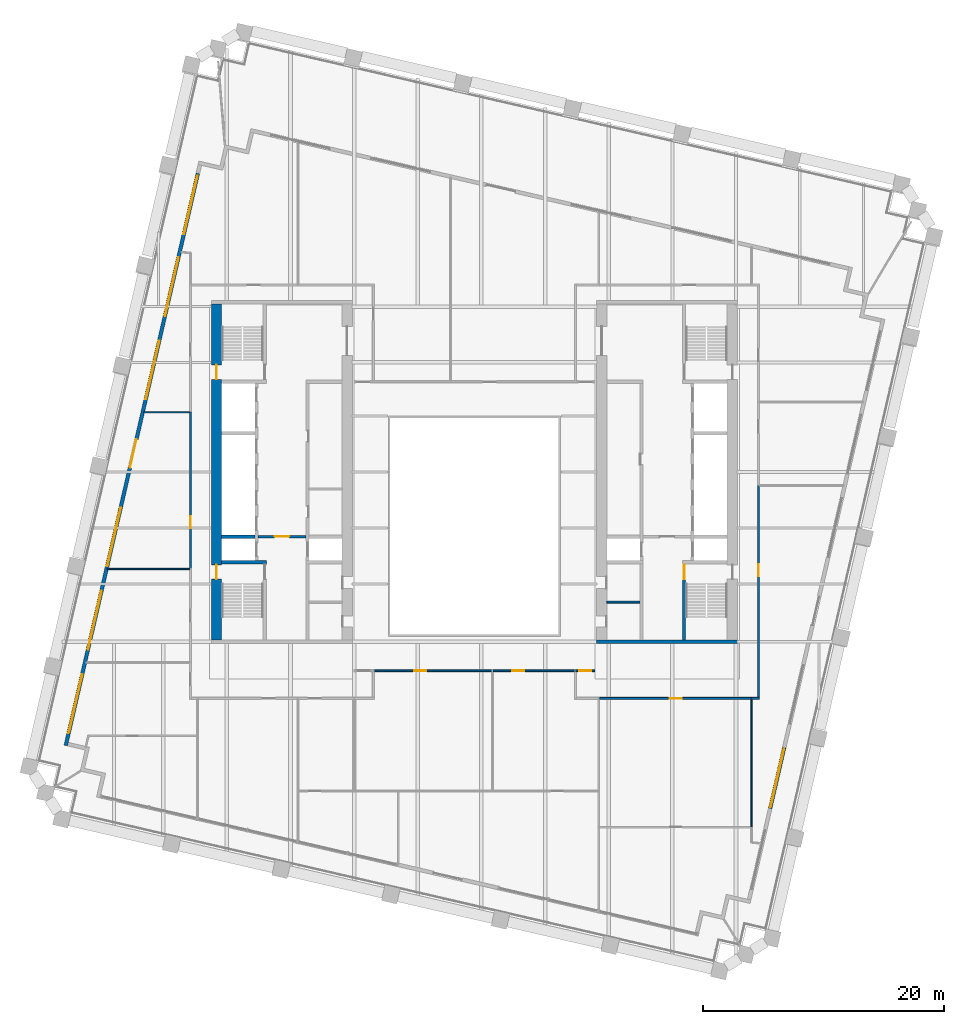
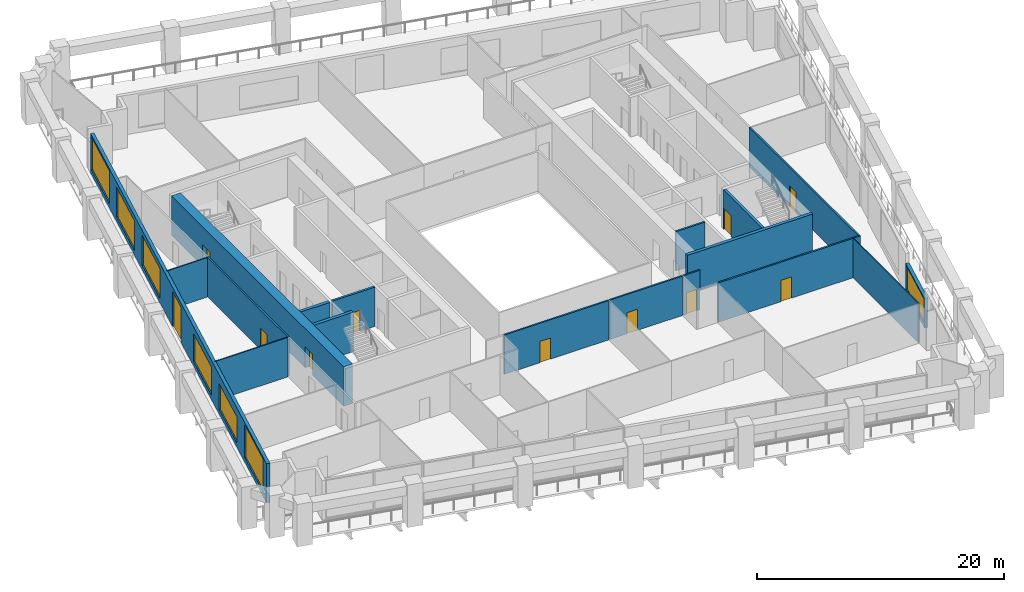
# One storey, part 7 of 12: 19 walls, 11 doors, 7 windows, 18 openings.
"""IFC4 building model written with IfcOpenShell, lengths in metres."""

from ifc_helpers import new_model, si_unit, direction, frame, frame_2d, origin, place, context, subcontext, project, spatial, rectangle, extrude, material, layer, layer_set, type_object, element, fill, save


model = new_model("IFC4")

# Units and contexts
model_context = context("Model", 3, precision=1e-05, world=origin(), true_north=direction((0.0, 1.0)))
body_context = subcontext(model_context, "Body", "Model", "MODEL_VIEW")
ifc_project = project(units=[si_unit("LENGTHUNIT", "METRE"), si_unit("AREAUNIT", "SQUARE_METRE"), si_unit("VOLUMEUNIT", "CUBIC_METRE"), si_unit("PLANEANGLEUNIT", "RADIAN"), si_unit("MASSUNIT", "GRAM", prefix="KILO")], contexts=[model_context])

# Site, building, storey
site_placement = place(None, origin())
site = spatial("IfcSite", under=ifc_project, at=site_placement, CompositionType="ELEMENT")
building_placement = place(site_placement, origin())
building = spatial("IfcBuilding", under=site, at=building_placement, Name="Ogive Exchange Tower", CompositionType="ELEMENT")
storey_placement = place(building_placement, frame((0.0, 0.0, 156.0)))
storey = spatial("IfcBuildingStorey", under=building, at=storey_placement, Name="L34", CompositionType="ELEMENT", Elevation=156.0)

# Wall
ifc_material_1 = material(Name="Gypsum board partition")
ifc_layer_1 = layer(ifc_material_1, 0.14990234375)
ifc_layer_set_1 = layer_set([ifc_layer_1], Name="Core room partition 150 gypsum")
wall_type_1 = type_object("IfcWallType", Name="Core room partition 150 gypsum", PredefinedType="PARTITIONING", material=ifc_layer_set_1)
wall_1_placement = place(storey_placement, frame((11.0, 0.699951171875, 0.0), z_axis=(0.0, 0.0, 1.0), x_axis=(1.0, 0.0, 0.0)))
element("IfcWall", 1, at=wall_1_placement, inside=storey, type_object=wall_type_1, Name="E south room partition", PredefinedType="PARTITIONING", context=body_context, shape_type="SweptSolid", body=[
    extrude(rectangle(XDim=2.75, YDim=0.14990234375, at=frame_2d((1.375, 0.0))), origin(), (0.0, 0.0, 1.0), 3.89990234375),
])

# Wall, opening, door
ifc_material_2 = material(Name="Fire partition EI 60 150")
ifc_layer_2 = layer(ifc_material_2, 0.14990234375)
ifc_layer_set_2 = layer_set([ifc_layer_2], Name="Fire partition EI 60 150")
wall_type_2 = type_object("IfcWallType", Name="Fire partition EI 60 150", PredefinedType="PARTITIONING", material=ifc_layer_set_2)
wall_2_placement = place(storey_placement, frame((-23.60009765625, 3.449951171875, 0.0), z_axis=(0.0, 0.0, 1.0), x_axis=(0.0, 1.0, 0.0)))
wall_2 = element("IfcWall", 2, at=wall_2_placement, inside=storey, type_object=wall_type_2, Name="L34-PWL-007", PredefinedType="PARTITIONING", context=body_context, shape_type="SweptSolid", body=[
    extrude(rectangle(XDim=13.080078125, YDim=0.14990234375, at=frame_2d((6.5400390625, 0.0))), origin(), (0.0, 0.0, 1.0), 3.89990234375),
])
opening_1_placement = place(wall_2_placement, frame((3.3798828125, 0.0, 0.0)))
opening_1 = element("IfcOpeningElement", 3, at=opening_1_placement, cuts=wall_2, Name="Opening L34-I17", PredefinedType="OPENING", context=body_context, shape_type="SweptSolid", body=[
    extrude(rectangle(XDim=1.0, YDim=2.10009765625, at=frame_2d((0.5, 1.050048828125))), frame((0.0, 0.0849609375, 0.0), z_axis=(0.0, -1.0, 0.0), x_axis=(1.0, 0.0, 0.0)), (0.0, 0.0, 1.0), 0.169921875),
])
ifc_material_3 = material(Name="Fire door FD 30S 1000 x 2100")
door_type_1 = type_object("IfcDoorType", Name="Fire door FD 30S 1000 x 2100", OperationType="NOTDEFINED", PredefinedType="DOOR", material=ifc_material_3)
door_1_placement = place(opening_1_placement, origin())
door_1 = element("IfcDoor", 4, at=door_1_placement, inside=storey, type_object=door_type_1, Name="L34-IDR-017", ObjectType="DT3", OperationType="SINGLE_SWING_RIGHT", OverallHeight=2.10009765625, OverallWidth=1.0, PredefinedType="DOOR", context=body_context, shape_type="SweptSolid", body=[
    extrude(rectangle(XDim=1.0, YDim=2.10009765625, at=frame_2d((0.5, 1.050048828125))), frame((0.0, 0.02490234375, 0.0), z_axis=(0.0, -1.0, 0.0), x_axis=(1.0, 0.0, 0.0)), (0.0, 0.0, 1.0), 0.050048828125),
])
fill(opening_1, door_1)

wall_3_placement = place(storey_placement, frame((1.449951171875, -5.0, 0.0), z_axis=(0.0, 0.0, 1.0), x_axis=(-1.0, 0.0, 0.0)))
wall_3 = element("IfcWall", 5, at=wall_3_placement, inside=storey, type_object=wall_type_2, Name="L34-PWL-035", PredefinedType="PARTITIONING", context=body_context, shape_type="SweptSolid", body=[
    extrude(rectangle(XDim=9.77490234375, YDim=0.14990234375, at=frame_2d((4.887451171875, 0.0))), origin(), (0.0, 0.0, 1.0), 3.89990234375),
])
opening_2_placement = place(wall_3_placement, frame((5.449951171875, 0.0, 0.0)))
opening_2 = element("IfcOpeningElement", 6, at=opening_2_placement, cuts=wall_3, Name="Opening L34-I10", PredefinedType="OPENING", context=body_context, shape_type="SweptSolid", body=[
    extrude(rectangle(XDim=1.0, YDim=2.10009765625, at=frame_2d((0.5, 1.050048828125))), frame((0.0, 0.0849609375, 0.0), z_axis=(0.0, -1.0, 0.0), x_axis=(1.0, 0.0, 0.0)), (0.0, 0.0, 1.0), 0.169921875),
])
door_2_placement = place(opening_2_placement, origin())
door_2 = element("IfcDoor", 7, at=door_2_placement, inside=storey, type_object=door_type_1, Name="L34-IDR-010", ObjectType="DT3", OperationType="SINGLE_SWING_LEFT", OverallHeight=2.10009765625, OverallWidth=1.0, PredefinedType="DOOR", context=body_context, shape_type="SweptSolid", body=[
    extrude(rectangle(XDim=1.0, YDim=2.10009765625, at=frame_2d((0.5, 1.050048828125))), frame((0.0, 0.02490234375, 0.0), z_axis=(0.0, -1.0, 0.0), x_axis=(1.0, 0.0, 0.0)), (0.0, 0.0, 1.0), 0.050048828125),
])
fill(opening_2, door_2)

wall_4_placement = place(storey_placement, frame((8.324951171875, -5.0, 0.0), z_axis=(0.0, 0.0, 1.0), x_axis=(-1.0, 0.0, 0.0)))
wall_4 = element("IfcWall", 8, at=wall_4_placement, inside=storey, type_object=wall_type_2, Name="L34-PWL-037", PredefinedType="PARTITIONING", context=body_context, shape_type="SweptSolid", body=[
    extrude(rectangle(XDim=6.77490234375, YDim=0.14990234375, at=frame_2d((3.387451171875, 0.0))), origin(), (0.0, 0.0, 1.0), 3.89990234375),
])
opening_3_placement = place(wall_4_placement, frame((4.175048828125, 0.0, 0.0)))
opening_3 = element("IfcOpeningElement", 9, at=opening_3_placement, cuts=wall_4, Name="Opening L34-I09", PredefinedType="OPENING", context=body_context, shape_type="SweptSolid", body=[
    extrude(rectangle(XDim=1.0, YDim=2.10009765625, at=frame_2d((0.5, 1.050048828125))), frame((0.0, 0.0849609375, 0.0), z_axis=(0.0, -1.0, 0.0), x_axis=(1.0, 0.0, 0.0)), (0.0, 0.0, 1.0), 0.169921875),
])
door_3_placement = place(opening_3_placement, origin())
door_3 = element("IfcDoor", 10, at=door_3_placement, inside=storey, type_object=door_type_1, Name="L34-IDR-009", ObjectType="DT3", OperationType="SINGLE_SWING_LEFT", OverallHeight=2.10009765625, OverallWidth=1.0, PredefinedType="DOOR", context=body_context, shape_type="SweptSolid", body=[
    extrude(rectangle(XDim=1.0, YDim=2.10009765625, at=frame_2d((0.5, 1.050048828125))), frame((0.0, 0.02490234375, 0.0), z_axis=(0.0, -1.0, 0.0), x_axis=(1.0, 0.0, 0.0)), (0.0, 0.0, 1.0), 0.050048828125),
])
fill(opening_3, door_3)

wall_5_placement = place(storey_placement, frame((23.06005859375, -7.300048828125, 0.0), z_axis=(0.0, 0.0, 1.0), x_axis=(-1.0, 0.0, 0.0)))
wall_5 = element("IfcWall", 11, at=wall_5_placement, inside=storey, type_object=wall_type_2, Name="L34-PWL-049", PredefinedType="PARTITIONING", context=body_context, shape_type="SweptSolid", body=[
    extrude(rectangle(XDim=12.68994140625, YDim=0.14990234375, at=frame_2d((6.344970703125, 0.0))), origin(), (0.0, 0.0, 1.0), 3.89990234375),
])
opening_4_placement = place(wall_5_placement, frame((5.840087890625, 0.0, 0.0)))
opening_4 = element("IfcOpeningElement", 12, at=opening_4_placement, cuts=wall_5, Name="Opening L34-I02", PredefinedType="OPENING", context=body_context, shape_type="SweptSolid", body=[
    extrude(rectangle(XDim=1.0, YDim=2.10009765625, at=frame_2d((0.5, 1.050048828125))), frame((0.0, 0.0849609375, 0.0), z_axis=(0.0, -1.0, 0.0), x_axis=(1.0, 0.0, 0.0)), (0.0, 0.0, 1.0), 0.169921875),
])
door_4_placement = place(opening_4_placement, origin())
door_4 = element("IfcDoor", 13, at=door_4_placement, inside=storey, type_object=door_type_1, Name="L34-IDR-002", ObjectType="DT3", OperationType="SINGLE_SWING_LEFT", OverallHeight=2.10009765625, OverallWidth=1.0, PredefinedType="DOOR", context=body_context, shape_type="SweptSolid", body=[
    extrude(rectangle(XDim=1.0, YDim=2.10009765625, at=frame_2d((0.5, 1.050048828125))), frame((0.0, 0.02490234375, 0.0), z_axis=(0.0, -1.0, 0.0), x_axis=(1.0, 0.0, 0.0)), (0.0, 0.0, 1.0), 0.050048828125),
])
fill(opening_4, door_4)

# Wall
wall_6_placement = place(storey_placement, frame((23.675048828125, -7.300048828125, 0.0), z_axis=(0.0, 0.0, 1.0), x_axis=(-1.0, 0.0, 0.0)))
element("IfcWall", 14, at=wall_6_placement, inside=storey, type_object=wall_type_2, Name="L34-PWL-053", PredefinedType="PARTITIONING", context=body_context, shape_type="SweptSolid", body=[
    extrude(rectangle(XDim=0.6650390625, YDim=0.14990234375, at=frame_2d((0.33251953125, 0.0))), origin(), (0.0, 0.0, 1.0), 3.89990234375),
])

# Wall, opening, door
wall_7_placement = place(storey_placement, frame((23.60009765625, 10.43994140625, 0.0), z_axis=(0.0, 0.0, 1.0), x_axis=(0.0, -1.0, 0.0)))
wall_7 = element("IfcWall", 15, at=wall_7_placement, inside=storey, type_object=wall_type_2, Name="L34-PWL-054", PredefinedType="PARTITIONING", context=body_context, shape_type="SweptSolid", body=[
    extrude(rectangle(XDim=17.6650390625, YDim=0.14990234375, at=frame_2d((8.83251953125, 0.0))), origin(), (0.0, 0.0, 1.0), 3.89990234375),
])
opening_5_placement = place(wall_7_placement, frame((6.590087890625, 0.0, 0.0)))
opening_5 = element("IfcOpeningElement", 16, at=opening_5_placement, cuts=wall_7, Name="Opening L34-I04", PredefinedType="OPENING", context=body_context, shape_type="SweptSolid", body=[
    extrude(rectangle(XDim=1.0, YDim=2.10009765625, at=frame_2d((0.5, 1.050048828125))), frame((0.0, 0.0849609375, 0.0), z_axis=(0.0, -1.0, 0.0), x_axis=(1.0, 0.0, 0.0)), (0.0, 0.0, 1.0), 0.169921875),
])
door_5_placement = place(opening_5_placement, origin())
door_5 = element("IfcDoor", 17, at=door_5_placement, inside=storey, type_object=door_type_1, Name="L34-IDR-004", ObjectType="DT3", OperationType="SINGLE_SWING_RIGHT", OverallHeight=2.10009765625, OverallWidth=1.0, PredefinedType="DOOR", context=body_context, shape_type="SweptSolid", body=[
    extrude(rectangle(XDim=1.0, YDim=2.10009765625, at=frame_2d((0.5, 1.050048828125))), frame((0.0, 0.02490234375, 0.0), z_axis=(0.0, -1.0, 0.0), x_axis=(1.0, 0.0, 0.0)), (0.0, 0.0, 1.0), 0.050048828125),
])
fill(opening_5, door_5)

wall_8_placement = place(storey_placement, frame((10.0, -5.0, 0.0), z_axis=(0.0, 0.0, 1.0), x_axis=(-1.0, 0.0, 0.0)))
wall_8 = element("IfcWall", 18, at=wall_8_placement, inside=storey, type_object=wall_type_2, Name="L34-PWL-062", PredefinedType="PARTITIONING", context=body_context, shape_type="SweptSolid", body=[
    extrude(rectangle(XDim=1.60009765625, YDim=0.14990234375, at=frame_2d((0.800048828125, 0.0))), origin(), (0.0, 0.0, 1.0), 3.89990234375),
])
opening_6_placement = place(wall_8_placement, frame((0.300048828125, 0.0, 0.0)))
opening_6 = element("IfcOpeningElement", 19, at=opening_6_placement, cuts=wall_8, Name="Opening L34-I24", PredefinedType="OPENING", context=body_context, shape_type="SweptSolid", body=[
    extrude(rectangle(XDim=1.0, YDim=2.10009765625, at=frame_2d((0.5, 1.050048828125))), frame((0.0, 0.0849609375, 0.0), z_axis=(0.0, -1.0, 0.0), x_axis=(1.0, 0.0, 0.0)), (0.0, 0.0, 1.0), 0.169921875),
])
door_6_placement = place(opening_6_placement, origin())
door_6 = element("IfcDoor", 20, at=door_6_placement, inside=storey, type_object=door_type_1, Name="L34-IDR-024", ObjectType="DT3", OperationType="SINGLE_SWING_LEFT", OverallHeight=2.10009765625, OverallWidth=1.0, PredefinedType="DOOR", context=body_context, shape_type="SweptSolid", body=[
    extrude(rectangle(XDim=1.0, YDim=2.10009765625, at=frame_2d((0.5, 1.050048828125))), frame((0.0, 0.02490234375, 0.0), z_axis=(0.0, -1.0, 0.0), x_axis=(1.0, 0.0, 0.0)), (0.0, 0.0, 1.0), 0.050048828125),
])
fill(opening_6, door_6)

# Wall, opening, window
ifc_material_4 = material(Name="Precast concrete C40/50", Category="concrete")
ifc_layer_3 = layer(ifc_material_4, 0.300048828125)
ifc_layer_set_3 = layer_set([ifc_layer_3], Name="Limestone-faced wall 300")
wall_type_3 = type_object("IfcWallType", Name="Limestone-faced wall 300", PredefinedType="STANDARD", material=ifc_layer_set_3)
wall_9_placement = place(storey_placement, frame((24.568603515625, -16.443359375, 0.0), z_axis=(0.0, 0.0, 1.0), x_axis=(0.224941801871, 0.974372200841, 0.0)))
wall_9 = element("IfcWall", 21, at=wall_9_placement, inside=storey, type_object=wall_type_3, Name="External wall E2", PredefinedType="STANDARD", context=body_context, shape_type="SweptSolid", body=[
    extrude(rectangle(XDim=5.199951171875, YDim=0.300048828125, at=frame_2d((2.60009765625, 0.0))), origin(), (0.0, 0.0, 1.0), 2.929931640625),
])
opening_7_placement = place(wall_9_placement, frame((0.10009765625, 0.0, 0.449951171875)))
opening_7 = element("IfcOpeningElement", 22, at=opening_7_placement, cuts=wall_9, Name="Opening W2M", PredefinedType="OPENING", context=body_context, shape_type="SweptSolid", body=[
    extrude(rectangle(XDim=5.0, YDim=2.35009765625, at=frame_2d((2.5, 1.175048828125))), frame((0.0, 0.159912109375, 0.0), z_axis=(0.0, -1.0, 0.0), x_axis=(1.0, 0.0, 0.0)), (0.0, 0.0, 1.0), 0.320068359375),
])
ifc_material_5 = material(Name="Clear glass in bronze frame", Category="glass")
window_type_1 = type_object("IfcWindowType", Name="Executive lancet window 5000 x 2350", PartitioningType="DOUBLE_PANEL_VERTICAL", PredefinedType="WINDOW", material=ifc_material_5)
window_1_placement = place(opening_7_placement, origin())
window_1 = element("IfcWindow", 23, at=window_1_placement, inside=storey, type_object=window_type_1, Name="Window E01", OverallHeight=2.35009765625, OverallWidth=5.0, PartitioningType="DOUBLE_PANEL_VERTICAL", PredefinedType="WINDOW", context=body_context, shape_type="SweptSolid", body=[
    extrude(rectangle(XDim=5.0, YDim=2.35009765625, at=frame_2d((2.5, 1.175048828125))), frame((0.0, 0.030029296875, 0.0), z_axis=(0.0, -1.0, 0.0), x_axis=(1.0, 0.0, 0.0)), (0.0, 0.0, 1.0), 0.06005859375),
])
fill(opening_7, window_1)

# Wall, openings, windows, door
wall_10_placement = place(storey_placement, frame((-22.983154296875, 36.310546875, 0.0), z_axis=(0.0, 0.0, 1.0), x_axis=(-0.224952722155, -0.974369679739, 0.0)))
wall_10 = element("IfcWall", 24, at=wall_10_placement, inside=storey, type_object=wall_type_3, Name="External wall W4", PredefinedType="STANDARD", context=body_context, shape_type="SweptSolid", body=[
    extrude(rectangle(XDim=48.776611328125, YDim=0.300048828125, at=frame_2d((24.38818359375, 0.0))), origin(), (0.0, 0.0, 1.0), 3.89990234375),
])
opening_8_placement = place(wall_10_placement, frame((0.18359375, 0.0, 0.449951171875)))
opening_8 = element("IfcOpeningElement", 25, at=opening_8_placement, cuts=wall_10, Name="Opening W2", PredefinedType="OPENING", context=body_context, shape_type="SweptSolid", body=[
    extrude(rectangle(XDim=5.0, YDim=3.25, at=frame_2d((2.5, 1.625))), frame((0.0, 0.159912109375, 0.0), z_axis=(0.0, -1.0, 0.0), x_axis=(1.0, 0.0, 0.0)), (0.0, 0.0, 1.0), 0.320068359375),
])
opening_9_placement = place(wall_10_placement, frame((7.14794921875, 0.0, 0.449951171875)))
opening_9 = element("IfcOpeningElement", 26, at=opening_9_placement, cuts=wall_10, Name="Opening W2A", PredefinedType="OPENING", context=body_context, shape_type="SweptSolid", body=[
    extrude(rectangle(XDim=5.0, YDim=2.949951171875, at=frame_2d((2.5, 1.47509765625))), frame((0.0, 0.159912109375, 0.0), z_axis=(0.0, -1.0, 0.0), x_axis=(1.0, 0.0, 0.0)), (0.0, 0.0, 1.0), 0.320068359375),
])
opening_10_placement = place(wall_10_placement, frame((14.26220703125, 0.0, 0.449951171875)))
opening_10 = element("IfcOpeningElement", 27, at=opening_10_placement, cuts=wall_10, Name="Opening W2A", PredefinedType="OPENING", context=body_context, shape_type="SweptSolid", body=[
    extrude(rectangle(XDim=5.0, YDim=2.949951171875, at=frame_2d((2.5, 1.47509765625))), frame((0.0, 0.159912109375, 0.0), z_axis=(0.0, -1.0, 0.0), x_axis=(1.0, 0.0, 0.0)), (0.0, 0.0, 1.0), 0.320068359375),
])
opening_11_placement = place(wall_10_placement, frame((22.676513671875, 0.0, 0.0)))
opening_11 = element("IfcOpeningElement", 28, at=opening_11_placement, cuts=wall_10, Name="Opening D1", PredefinedType="OPENING", context=body_context, shape_type="SweptSolid", body=[
    extrude(rectangle(XDim=2.39990234375, YDim=3.5, at=frame_2d((1.199951171875, 1.75))), frame((0.0, 0.159912109375, 0.0), z_axis=(0.0, -1.0, 0.0), x_axis=(1.0, 0.0, 0.0)), (0.0, 0.0, 1.0), 0.320068359375),
])
opening_12_placement = place(wall_10_placement, frame((28.49072265625, 0.0, 0.449951171875)))
opening_12 = element("IfcOpeningElement", 29, at=opening_12_placement, cuts=wall_10, Name="Opening W2E", PredefinedType="OPENING", context=body_context, shape_type="SweptSolid", body=[
    extrude(rectangle(XDim=5.0, YDim=2.77490234375, at=frame_2d((2.5, 1.387451171875))), frame((0.0, 0.159912109375, 0.0), z_axis=(0.0, -1.0, 0.0), x_axis=(1.0, 0.0, 0.0)), (0.0, 0.0, 1.0), 0.320068359375),
])
opening_13_placement = place(wall_10_placement, frame((35.60498046875, 0.0, 0.449951171875)))
opening_13 = element("IfcOpeningElement", 30, at=opening_13_placement, cuts=wall_10, Name="Opening W2K", PredefinedType="OPENING", context=body_context, shape_type="SweptSolid", body=[
    extrude(rectangle(XDim=5.0, YDim=2.574951171875, at=frame_2d((2.5, 1.28759765625))), frame((0.0, 0.159912109375, 0.0), z_axis=(0.0, -1.0, 0.0), x_axis=(1.0, 0.0, 0.0)), (0.0, 0.0, 1.0), 0.320068359375),
])
opening_14_placement = place(wall_10_placement, frame((42.71923828125, 0.0, 0.449951171875)))
opening_14 = element("IfcOpeningElement", 31, at=opening_14_placement, cuts=wall_10, Name="Opening W2", PredefinedType="OPENING", context=body_context, shape_type="SweptSolid", body=[
    extrude(rectangle(XDim=5.0, YDim=3.25, at=frame_2d((2.5, 1.625))), frame((0.0, 0.159912109375, 0.0), z_axis=(0.0, -1.0, 0.0), x_axis=(1.0, 0.0, 0.0)), (0.0, 0.0, 1.0), 0.320068359375),
])
window_type_2 = type_object("IfcWindowType", Name="Executive lancet window 5000 x 2575", PartitioningType="DOUBLE_PANEL_VERTICAL", PredefinedType="WINDOW", material=ifc_material_5)
window_2_placement = place(opening_13_placement, origin())
window_2 = element("IfcWindow", 32, at=window_2_placement, inside=storey, type_object=window_type_2, Name="Window W05", OverallHeight=2.574951171875, OverallWidth=5.0, PartitioningType="DOUBLE_PANEL_VERTICAL", PredefinedType="WINDOW", context=body_context, shape_type="SweptSolid", body=[
    extrude(rectangle(XDim=5.0, YDim=2.574951171875, at=frame_2d((2.5, 1.28759765625))), frame((0.0, 0.030029296875, 0.0), z_axis=(0.0, -1.0, 0.0), x_axis=(1.0, 0.0, 0.0)), (0.0, 0.0, 1.0), 0.06005859375),
])
fill(opening_13, window_2)
window_type_3 = type_object("IfcWindowType", Name="Executive lancet window 5000 x 2775", PartitioningType="DOUBLE_PANEL_VERTICAL", PredefinedType="WINDOW", material=ifc_material_5)
window_3_placement = place(opening_12_placement, origin())
window_3 = element("IfcWindow", 33, at=window_3_placement, inside=storey, type_object=window_type_3, Name="Window W04", OverallHeight=2.77490234375, OverallWidth=5.0, PartitioningType="DOUBLE_PANEL_VERTICAL", PredefinedType="WINDOW", context=body_context, shape_type="SweptSolid", body=[
    extrude(rectangle(XDim=5.0, YDim=2.77490234375, at=frame_2d((2.5, 1.387451171875))), frame((0.0, 0.030029296875, 0.0), z_axis=(0.0, -1.0, 0.0), x_axis=(1.0, 0.0, 0.0)), (0.0, 0.0, 1.0), 0.06005859375),
])
fill(opening_12, window_3)
window_type_4 = type_object("IfcWindowType", Name="Executive lancet window 5000 x 2950", PartitioningType="DOUBLE_PANEL_VERTICAL", PredefinedType="WINDOW", material=ifc_material_5)
window_4_placement = place(opening_9_placement, origin())
window_4 = element("IfcWindow", 34, at=window_4_placement, inside=storey, type_object=window_type_4, Name="Window W01", OverallHeight=2.949951171875, OverallWidth=5.0, PartitioningType="DOUBLE_PANEL_VERTICAL", PredefinedType="WINDOW", context=body_context, shape_type="SweptSolid", body=[
    extrude(rectangle(XDim=5.0, YDim=2.949951171875, at=frame_2d((2.5, 1.47509765625))), frame((0.0, 0.030029296875, 0.0), z_axis=(0.0, -1.0, 0.0), x_axis=(1.0, 0.0, 0.0)), (0.0, 0.0, 1.0), 0.06005859375),
])
fill(opening_9, window_4)
window_5_placement = place(opening_10_placement, origin())
window_5 = element("IfcWindow", 35, at=window_5_placement, inside=storey, type_object=window_type_4, Name="Window W02", OverallHeight=2.949951171875, OverallWidth=5.0, PartitioningType="DOUBLE_PANEL_VERTICAL", PredefinedType="WINDOW", context=body_context, shape_type="SweptSolid", body=[
    extrude(rectangle(XDim=5.0, YDim=2.949951171875, at=frame_2d((2.5, 1.47509765625))), frame((0.0, 0.030029296875, 0.0), z_axis=(0.0, -1.0, 0.0), x_axis=(1.0, 0.0, 0.0)), (0.0, 0.0, 1.0), 0.06005859375),
])
fill(opening_10, window_5)
window_type_5 = type_object("IfcWindowType", Name="Executive lancet window 5000 x 3250", PartitioningType="DOUBLE_PANEL_VERTICAL", PredefinedType="WINDOW", material=ifc_material_5)
window_6_placement = place(opening_8_placement, origin())
window_6 = element("IfcWindow", 36, at=window_6_placement, inside=storey, type_object=window_type_5, Name="Window W00", OverallHeight=3.25, OverallWidth=5.0, PartitioningType="DOUBLE_PANEL_VERTICAL", PredefinedType="WINDOW", context=body_context, shape_type="SweptSolid", body=[
    extrude(rectangle(XDim=5.0, YDim=3.25, at=frame_2d((2.5, 1.625))), frame((0.0, 0.030029296875, 0.0), z_axis=(0.0, -1.0, 0.0), x_axis=(1.0, 0.0, 0.0)), (0.0, 0.0, 1.0), 0.06005859375),
])
fill(opening_8, window_6)
window_7_placement = place(opening_14_placement, origin())
window_7 = element("IfcWindow", 37, at=window_7_placement, inside=storey, type_object=window_type_5, Name="Window W06", OverallHeight=3.25, OverallWidth=5.0, PartitioningType="DOUBLE_PANEL_VERTICAL", PredefinedType="WINDOW", context=body_context, shape_type="SweptSolid", body=[
    extrude(rectangle(XDim=5.0, YDim=3.25, at=frame_2d((2.5, 1.625))), frame((0.0, 0.030029296875, 0.0), z_axis=(0.0, -1.0, 0.0), x_axis=(1.0, 0.0, 0.0)), (0.0, 0.0, 1.0), 0.06005859375),
])
fill(opening_14, window_7)
door_type_2 = type_object("IfcDoorType", Name="Sliding loggia door 2400 x 3500", OperationType="DOUBLE_DOOR_SLIDING", PredefinedType="DOOR", material=ifc_material_5)
door_7_placement = place(opening_11_placement, origin())
door_7 = element("IfcDoor", 38, at=door_7_placement, inside=storey, type_object=door_type_2, Name="Loggia door W03", OperationType="DOUBLE_DOOR_SLIDING", OverallHeight=3.5, OverallWidth=2.39990234375, PredefinedType="DOOR", context=body_context, shape_type="SweptSolid", body=[
    extrude(rectangle(XDim=2.39990234375, YDim=3.5, at=frame_2d((1.199951171875, 1.75))), frame((0.0, 0.02490234375, 0.0), z_axis=(0.0, -1.0, 0.0), x_axis=(1.0, 0.0, 0.0)), (0.0, 0.0, 1.0), 0.050048828125),
])
fill(opening_11, door_7)

# Walls
ifc_material_6 = material(Name="Partition 100 gypsum")
ifc_layer_4 = layer(ifc_material_6, 0.10009765625)
ifc_layer_set_4 = layer_set([ifc_layer_4], Name="Partition 100 gypsum")
wall_type_4 = type_object("IfcWallType", Name="Partition 100 gypsum", PredefinedType="PARTITIONING", material=ifc_layer_set_4)
wall_11_placement = place(storey_placement, frame((-23.675048828125, 3.449951171875, 0.0), z_axis=(0.0, 0.0, 1.0), x_axis=(-1.0, 0.0, 0.0)))
element("IfcWall", 39, at=wall_11_placement, inside=storey, type_object=wall_type_4, Name="L34-PWL-006", PredefinedType="PARTITIONING", context=body_context, shape_type="SweptSolid", body=[
    extrude(rectangle(XDim=6.822998046875, YDim=0.10009765625, at=frame_2d((3.41162109375, 0.0))), origin(), (0.0, 0.0, 1.0), 3.89990234375),
])
wall_12_placement = place(storey_placement, frame((-23.675048828125, 16.47998046875, 0.0), z_axis=(0.0, 0.0, 1.0), x_axis=(-1.0, 0.0, 0.0)))
element("IfcWall", 40, at=wall_12_placement, inside=storey, type_object=wall_type_4, Name="L34-PWL-008", PredefinedType="PARTITIONING", context=body_context, shape_type="SweptSolid", body=[
    extrude(rectangle(XDim=3.81494140625, YDim=0.10009765625, at=frame_2d((1.907470703125, 0.0))), origin(), (0.0, 0.0, 1.0), 3.89990234375),
])
wall_13_placement = place(storey_placement, frame((23.010009765625, -7.375, 0.0), z_axis=(0.0, 0.0, 1.0), x_axis=(0.0, -1.0, 0.0)))
element("IfcWall", 41, at=wall_13_placement, inside=storey, type_object=wall_type_4, Name="L34-PWL-050", PredefinedType="PARTITIONING", context=body_context, shape_type="SweptSolid", body=[
    extrude(rectangle(XDim=10.574951171875, YDim=0.10009765625, at=frame_2d((5.28759765625, 0.0))), origin(), (0.0, 0.0, 1.0), 3.89990234375),
])

# Wall, opening, door
ifc_material_7 = material(Name="Concrete C70/85", Category="concrete")
ifc_layer_5 = layer(ifc_material_7, 0.199951171875)
ifc_layer_set_5 = layer_set([ifc_layer_5], Name="RC core wall 200 C70/85")
wall_type_5 = type_object("IfcWallType", Name="RC core wall 200 C70/85", PredefinedType="SHEAR", material=ifc_layer_set_5)
wall_14_placement = place(storey_placement, frame((-18.0, 6.142822265625, 0.0), z_axis=(0.0, 0.0, 1.0), x_axis=(1.0, 0.0, 0.0)))
wall_14 = element("IfcWall", 42, at=wall_14_placement, inside=storey, type_object=wall_type_5, Name="W firefighting lobby wall", PredefinedType="SHEAR", context=body_context, shape_type="SweptSolid", body=[
    extrude(rectangle(XDim=4.0, YDim=0.199951171875, at=frame_2d((2.0, 0.0))), origin(), (0.0, 0.0, 1.0), 3.89990234375),
])
opening_15_placement = place(wall_14_placement, frame((1.39990234375, 0.0, 0.0)))
opening_15 = element("IfcOpeningElement", 43, at=opening_15_placement, cuts=wall_14, Name="Opening L34-C11", PredefinedType="OPENING", context=body_context, shape_type="SweptSolid", body=[
    extrude(rectangle(XDim=1.199951171875, YDim=2.10009765625, at=frame_2d((0.60009765625, 1.050048828125))), frame((0.0, 0.10986328125, 0.0), z_axis=(0.0, -1.0, 0.0), x_axis=(1.0, 0.0, 0.0)), (0.0, 0.0, 1.0), 0.219970703125),
])
ifc_material_8 = material(Name="Steel fire door", Category="steel")
door_type_3 = type_object("IfcDoorType", Name="Firefighting lobby door FD60 1200 x 2100", OperationType="NOTDEFINED", PredefinedType="DOOR", material=ifc_material_8)
door_8_placement = place(opening_15_placement, frame((1.199951171875, 0.0, 0.0), z_axis=(0.0, 0.0, 1.0), x_axis=(-1.0, 0.0, 0.0)))
door_8 = element("IfcDoor", 44, at=door_8_placement, inside=storey, type_object=door_type_3, Name="Firefighting lobby door", ObjectType="CD3", OperationType="SINGLE_SWING_LEFT", OverallHeight=2.10009765625, OverallWidth=1.199951171875, PredefinedType="DOOR", context=body_context, shape_type="SweptSolid", body=[
    extrude(rectangle(XDim=1.199951171875, YDim=2.10009765625, at=frame_2d((0.60009765625, 1.050048828125))), frame((0.0, 0.02490234375, 0.0), z_axis=(0.0, -1.0, 0.0), x_axis=(1.0, 0.0, 0.0)), (0.0, 0.0, 1.0), 0.050048828125),
])
fill(opening_15, door_8)

ifc_layer_6 = layer(ifc_material_7, 0.25)
ifc_layer_set_6 = layer_set([ifc_layer_6], Name="RC core wall 250 C70/85")
wall_type_6 = type_object("IfcWallType", Name="RC core wall 250 C70/85", PredefinedType="SHEAR", material=ifc_layer_set_6)
wall_15_placement = place(storey_placement, frame((17.425048828125, -2.449951171875, 0.0), z_axis=(0.0, 0.0, 1.0), x_axis=(0.0, 1.0, 0.0)))
wall_15 = element("IfcWall", 45, at=wall_15_placement, inside=storey, type_object=wall_type_6, Name="E stair S front wall", PredefinedType="SHEAR", context=body_context, shape_type="SweptSolid", body=[
    extrude(rectangle(XDim=6.300048828125, YDim=0.25, at=frame_2d((3.14990234375, 0.0))), origin(), (0.0, 0.0, 1.0), 3.89990234375),
])
opening_16_placement = place(wall_15_placement, frame((5.050048828125, 0.0, 0.0)))
opening_16 = element("IfcOpeningElement", 46, at=opening_16_placement, cuts=wall_15, Name="Opening L34-C30", PredefinedType="OPENING", context=body_context, shape_type="SweptSolid", body=[
    extrude(rectangle(XDim=1.199951171875, YDim=2.10009765625, at=frame_2d((0.60009765625, 1.050048828125))), frame((0.0, 0.135009765625, 0.0), z_axis=(0.0, -1.0, 0.0), x_axis=(1.0, 0.0, 0.0)), (0.0, 0.0, 1.0), 0.27001953125),
])
door_type_4 = type_object("IfcDoorType", Name="Stair door FD90 1200 x 2100", OperationType="NOTDEFINED", PredefinedType="DOOR", material=ifc_material_8)
door_9_placement = place(opening_16_placement, frame((1.199951171875, 0.0, 0.0), z_axis=(0.0, 0.0, 1.0), x_axis=(-1.0, 0.0, 0.0)))
door_9 = element("IfcDoor", 47, at=door_9_placement, inside=storey, type_object=door_type_4, Name="Stair door", ObjectType="CD5", OperationType="SINGLE_SWING_RIGHT", OverallHeight=2.10009765625, OverallWidth=1.199951171875, PredefinedType="DOOR", context=body_context, shape_type="SweptSolid", body=[
    extrude(rectangle(XDim=1.199951171875, YDim=2.10009765625, at=frame_2d((0.60009765625, 1.050048828125))), frame((0.0, 0.02490234375, 0.0), z_axis=(0.0, -1.0, 0.0), x_axis=(1.0, 0.0, 0.0)), (0.0, 0.0, 1.0), 0.050048828125),
])
fill(opening_16, door_9)

# Walls
ifc_layer_7 = layer(ifc_material_7, 0.300048828125)
ifc_layer_set_7 = layer_set([ifc_layer_7], Name="RC core wall 300 C70/85")
wall_type_7 = type_object("IfcWallType", Name="RC core wall 300 C70/85", PredefinedType="SHEAR", material=ifc_layer_set_7)
wall_16_placement = place(storey_placement, frame((-21.0, 4.0, 0.0), z_axis=(0.0, 0.0, 1.0), x_axis=(1.0, 0.0, 0.0)))
element("IfcWall", 48, at=wall_16_placement, inside=storey, type_object=wall_type_7, Name="W stair S north wall", PredefinedType="SHEAR", context=body_context, shape_type="SweptSolid", body=[
    extrude(rectangle(XDim=3.699951171875, YDim=0.300048828125, at=frame_2d((1.85009765625, 0.0))), origin(), (0.0, 0.0, 1.0), 3.89990234375),
])
wall_17_placement = place(storey_placement, frame((-21.0, 6.142822265625, 0.0), z_axis=(0.0, 0.0, 1.0), x_axis=(1.0, 0.0, 0.0)))
element("IfcWall", 49, at=wall_17_placement, inside=storey, type_object=wall_type_7, Name="W row A divider 1", PredefinedType="SHEAR", context=body_context, shape_type="SweptSolid", body=[
    extrude(rectangle(XDim=2.75, YDim=0.300048828125, at=frame_2d((1.375, 0.0))), origin(), (0.0, 0.0, 1.0), 3.89990234375),
])
wall_18_placement = place(storey_placement, frame((10.14990234375, -2.60009765625, 0.0), z_axis=(0.0, 0.0, 1.0), x_axis=(1.0, 0.0, 0.0)))
element("IfcWall", 50, at=wall_18_placement, inside=storey, type_object=wall_type_7, Name="E south end wall", PredefinedType="SHEAR", context=body_context, shape_type="SweptSolid", body=[
    extrude(rectangle(XDim=11.7001953125, YDim=0.300048828125, at=frame_2d((5.85009765625, 0.0))), origin(), (0.0, 0.0, 1.0), 3.89990234375),
])

# Wall, openings, doors
ifc_layer_8 = layer(ifc_material_7, 0.85009765625)
ifc_layer_set_8 = layer_set([ifc_layer_8], Name="RC core wall 850 C70/85")
wall_type_8 = type_object("IfcWallType", Name="RC core wall 850 C70/85", PredefinedType="SHEAR", material=ifc_layer_set_8)
wall_19_placement = place(storey_placement, frame((-21.425048828125, -2.449951171875, 0.0), z_axis=(0.0, 0.0, 1.0), x_axis=(0.0, 1.0, 0.0)))
wall_19 = element("IfcWall", 51, at=wall_19_placement, inside=storey, type_object=wall_type_8, Name="W outer wall", PredefinedType="SHEAR", context=body_context, shape_type="SweptSolid", body=[
    extrude(rectangle(XDim=27.89990234375, YDim=0.85009765625, at=frame_2d((13.949951171875, 0.0))), origin(), (0.0, 0.0, 1.0), 3.89990234375),
])
opening_17_placement = place(wall_19_placement, frame((5.050048828125, 0.0, 0.0)))
opening_17 = element("IfcOpeningElement", 52, at=opening_17_placement, cuts=wall_19, Name="Opening L34-C14", PredefinedType="OPENING", context=body_context, shape_type="SweptSolid", body=[
    extrude(rectangle(XDim=1.199951171875, YDim=2.10009765625, at=frame_2d((0.60009765625, 1.050048828125))), frame((0.0, 0.43505859375, 0.0), z_axis=(0.0, -1.0, 0.0), x_axis=(1.0, 0.0, 0.0)), (0.0, 0.0, 1.0), 0.8701171875),
])
opening_18_placement = place(wall_19_placement, frame((21.64990234375, 0.0, 0.0)))
opening_18 = element("IfcOpeningElement", 53, at=opening_18_placement, cuts=wall_19, Name="Opening L34-C16", PredefinedType="OPENING", context=body_context, shape_type="SweptSolid", body=[
    extrude(rectangle(XDim=1.199951171875, YDim=2.10009765625, at=frame_2d((0.60009765625, 1.050048828125))), frame((0.0, 0.43505859375, 0.0), z_axis=(0.0, -1.0, 0.0), x_axis=(1.0, 0.0, 0.0)), (0.0, 0.0, 1.0), 0.8701171875),
])
door_10_placement = place(opening_17_placement, frame((1.199951171875, 0.0, 0.0), z_axis=(0.0, 0.0, 1.0), x_axis=(-1.0, 0.0, 0.0)))
door_10 = element("IfcDoor", 54, at=door_10_placement, inside=storey, type_object=door_type_4, Name="Stair door", ObjectType="CD5", OperationType="SINGLE_SWING_RIGHT", OverallHeight=2.10009765625, OverallWidth=1.199951171875, PredefinedType="DOOR", context=body_context, shape_type="SweptSolid", body=[
    extrude(rectangle(XDim=1.199951171875, YDim=2.10009765625, at=frame_2d((0.60009765625, 1.050048828125))), frame((0.0, 0.02490234375, 0.0), z_axis=(0.0, -1.0, 0.0), x_axis=(1.0, 0.0, 0.0)), (0.0, 0.0, 1.0), 0.050048828125),
])
fill(opening_17, door_10)
door_11_placement = place(opening_18_placement, frame((1.199951171875, 0.0, 0.0), z_axis=(0.0, 0.0, 1.0), x_axis=(-1.0, 0.0, 0.0)))
door_11 = element("IfcDoor", 55, at=door_11_placement, inside=storey, type_object=door_type_4, Name="Stair door", ObjectType="CD5", OperationType="SINGLE_SWING_LEFT", OverallHeight=2.10009765625, OverallWidth=1.199951171875, PredefinedType="DOOR", context=body_context, shape_type="SweptSolid", body=[
    extrude(rectangle(XDim=1.199951171875, YDim=2.10009765625, at=frame_2d((0.60009765625, 1.050048828125))), frame((0.0, 0.02490234375, 0.0), z_axis=(0.0, -1.0, 0.0), x_axis=(1.0, 0.0, 0.0)), (0.0, 0.0, 1.0), 0.050048828125),
])
fill(opening_18, door_11)

save(model, "model.ifc")
